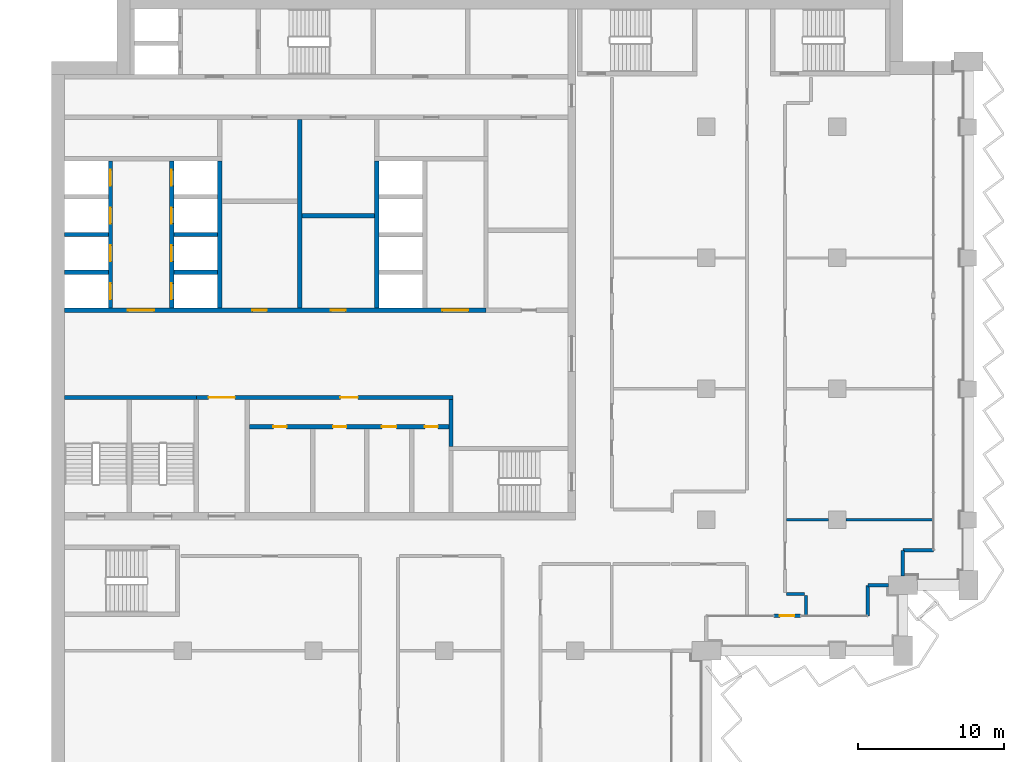
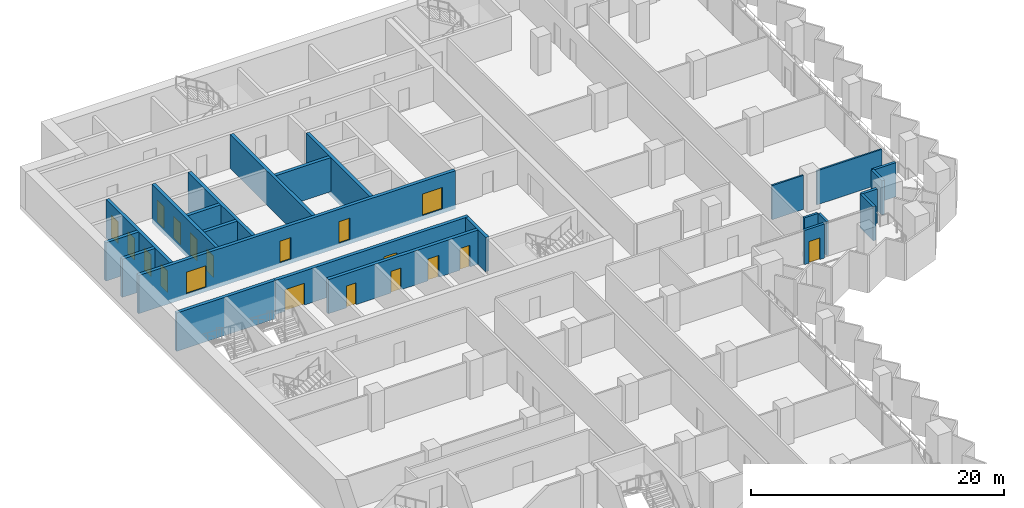
# One storey, part 13 of 23: 24 walls, 19 doors, 19 openings.
"""IFC4 building model written with IfcOpenShell, lengths in metres."""

from ifc_helpers import new_model, si_unit, direction, frame, frame_2d, origin, place, context, subcontext, project, spatial, rectangle, extrude, material, layer, layer_set, type_object, element, fill, save


model = new_model("IFC4")

# Units and contexts
model_context = context("Model", 3, precision=1e-05, world=origin(), true_north=direction((0.0, 1.0)))
body_context = subcontext(model_context, "Body", "Model", "MODEL_VIEW")
ifc_project = project(units=[si_unit("LENGTHUNIT", "METRE"), si_unit("AREAUNIT", "SQUARE_METRE"), si_unit("VOLUMEUNIT", "CUBIC_METRE"), si_unit("PLANEANGLEUNIT", "RADIAN"), si_unit("MASSUNIT", "GRAM", prefix="KILO")], contexts=[model_context])

# Site, building, storey
site_placement = place(None, origin())
site = spatial("IfcSite", under=ifc_project, at=site_placement, CompositionType="ELEMENT")
building_placement = place(site_placement, origin())
building = spatial("IfcBuilding", under=site, at=building_placement, Name="Hunhe Ridgeline Campus", CompositionType="ELEMENT")
storey_placement = place(building_placement, frame((0.0, 0.0, 167.10009765625)))
storey = spatial("IfcBuildingStorey", under=building, at=storey_placement, Name="L42", CompositionType="ELEMENT", Elevation=167.10009765625)

# Wall, openings, doors
ifc_material_1 = material(Name="Masonry concrete blockwork", Category="masonry")
ifc_layer_1 = layer(ifc_material_1, 0.300048828125)
ifc_layer_set_1 = layer_set([ifc_layer_1], Name="Core room partition 300 concrete block")
wall_type_1 = type_object("IfcWallType", Name="Core room partition 300 concrete block", PredefinedType="PARTITIONING", material=ifc_layer_set_1)
wall_1_placement = place(storey_placement, frame((13.60009765625, 69.39990234375, 0.0), z_axis=(0.0, 0.0, 1.0), x_axis=(1.0, 0.0, 0.0)))
wall_1 = element("IfcWall", 1, at=wall_1_placement, inside=storey, type_object=wall_type_1, Name="L42 core partition 9", PredefinedType="PARTITIONING", context=body_context, shape_type="SweptSolid", body=[
    extrude(rectangle(XDim=13.699951171875, YDim=0.300048828125, at=frame_2d((6.85009765625, 0.0))), origin(), (0.0, 0.0, 1.0), 3.2998046875),
])
opening_1_placement = place(wall_1_placement, frame((1.64990234375, 0.0, 0.0)))
opening_1 = element("IfcOpeningElement", 2, at=opening_1_placement, cuts=wall_1, Name="Opening CD8", PredefinedType="OPENING", context=body_context, shape_type="SweptSolid", body=[
    extrude(rectangle(XDim=0.89990234375, YDim=2.10009765625, at=frame_2d((0.449951171875, 1.050048828125))), frame((0.0, 0.14990234375, 0.0), z_axis=(0.0, -1.0, 0.0), x_axis=(1.0, 0.0, 0.0)), (0.0, 0.0, 1.0), 0.300048828125),
])
opening_2_placement = place(wall_1_placement, frame((5.75, 0.0, 0.0)))
opening_2 = element("IfcOpeningElement", 3, at=opening_2_placement, cuts=wall_1, Name="Opening CD9", PredefinedType="OPENING", context=body_context, shape_type="SweptSolid", body=[
    extrude(rectangle(XDim=0.89990234375, YDim=2.10009765625, at=frame_2d((0.449951171875, 1.050048828125))), frame((0.0, 0.14990234375, 0.0), z_axis=(0.0, -1.0, 0.0), x_axis=(1.0, 0.0, 0.0)), (0.0, 0.0, 1.0), 0.300048828125),
])
opening_3_placement = place(wall_1_placement, frame((9.10009765625, 0.0, 0.0)))
opening_3 = element("IfcOpeningElement", 4, at=opening_3_placement, cuts=wall_1, Name="Opening CD10", PredefinedType="OPENING", context=body_context, shape_type="SweptSolid", body=[
    extrude(rectangle(XDim=1.0, YDim=2.10009765625, at=frame_2d((0.5, 1.050048828125))), frame((0.0, 0.14990234375, 0.0), z_axis=(0.0, -1.0, 0.0), x_axis=(1.0, 0.0, 0.0)), (0.0, 0.0, 1.0), 0.300048828125),
])
opening_4_placement = place(wall_1_placement, frame((12.050048828125, 0.0, 0.0)))
opening_4 = element("IfcOpeningElement", 5, at=opening_4_placement, cuts=wall_1, Name="Opening CD11", PredefinedType="OPENING", context=body_context, shape_type="SweptSolid", body=[
    extrude(rectangle(XDim=0.89990234375, YDim=2.10009765625, at=frame_2d((0.449951171875, 1.050048828125))), frame((0.0, 0.14990234375, 0.0), z_axis=(0.0, -1.0, 0.0), x_axis=(1.0, 0.0, 0.0)), (0.0, 0.0, 1.0), 0.300048828125),
])
ifc_material_2 = material(Name="Solid core timber door leaf", Category="wood")
door_type_1 = type_object("IfcDoorType", Name="Timber door 1000x2100", OperationType="SINGLE_SWING_LEFT", PredefinedType="DOOR", material=ifc_material_2)
door_1_placement = place(opening_3_placement, frame((1.0, 0.0, 0.0), z_axis=(0.0, 0.0, 1.0), x_axis=(-1.0, 0.0, 0.0)))
door_1 = element("IfcDoor", 6, at=door_1_placement, inside=storey, type_object=door_type_1, Name="L42 door WC3", OperationType="SINGLE_SWING_RIGHT", OverallHeight=2.10009765625, OverallWidth=1.0, PredefinedType="DOOR", context=body_context, shape_type="SweptSolid", body=[
    extrude(rectangle(XDim=1.0, YDim=2.10009765625, at=frame_2d((0.5, 1.050048828125))), frame((0.0, 0.02490234375, 0.0), z_axis=(0.0, -1.0, 0.0), x_axis=(1.0, 0.0, 0.0)), (0.0, 0.0, 1.0), 0.050048828125),
])
fill(opening_3, door_1)
door_type_2 = type_object("IfcDoorType", Name="Timber door 900x2100", OperationType="SINGLE_SWING_LEFT", PredefinedType="DOOR", material=ifc_material_2)
door_2_placement = place(opening_1_placement, frame((0.89990234375, 0.0, 0.0), z_axis=(0.0, 0.0, 1.0), x_axis=(-1.0, 0.0, 0.0)))
door_2 = element("IfcDoor", 7, at=door_2_placement, inside=storey, type_object=door_type_2, Name="L42 door WC1", OperationType="SINGLE_SWING_RIGHT", OverallHeight=2.10009765625, OverallWidth=0.89990234375, PredefinedType="DOOR", context=body_context, shape_type="SweptSolid", body=[
    extrude(rectangle(XDim=0.89990234375, YDim=2.10009765625, at=frame_2d((0.449951171875, 1.050048828125))), frame((0.0, 0.02490234375, 0.0), z_axis=(0.0, -1.0, 0.0), x_axis=(1.0, 0.0, 0.0)), (0.0, 0.0, 1.0), 0.050048828125),
])
fill(opening_1, door_2)
door_3_placement = place(opening_2_placement, frame((0.89990234375, 0.0, 0.0), z_axis=(0.0, 0.0, 1.0), x_axis=(-1.0, 0.0, 0.0)))
door_3 = element("IfcDoor", 8, at=door_3_placement, inside=storey, type_object=door_type_2, Name="L42 door WC2", OperationType="SINGLE_SWING_LEFT", OverallHeight=2.10009765625, OverallWidth=0.89990234375, PredefinedType="DOOR", context=body_context, shape_type="SweptSolid", body=[
    extrude(rectangle(XDim=0.89990234375, YDim=2.10009765625, at=frame_2d((0.449951171875, 1.050048828125))), frame((0.0, 0.02490234375, 0.0), z_axis=(0.0, -1.0, 0.0), x_axis=(1.0, 0.0, 0.0)), (0.0, 0.0, 1.0), 0.050048828125),
])
fill(opening_2, door_3)
door_4_placement = place(opening_4_placement, frame((0.89990234375, 0.0, 0.0), z_axis=(0.0, 0.0, 1.0), x_axis=(-1.0, 0.0, 0.0)))
door_4 = element("IfcDoor", 9, at=door_4_placement, inside=storey, type_object=door_type_2, Name="L42 door WC4", OperationType="SINGLE_SWING_LEFT", OverallHeight=2.10009765625, OverallWidth=0.89990234375, PredefinedType="DOOR", context=body_context, shape_type="SweptSolid", body=[
    extrude(rectangle(XDim=0.89990234375, YDim=2.10009765625, at=frame_2d((0.449951171875, 1.050048828125))), frame((0.0, 0.02490234375, 0.0), z_axis=(0.0, -1.0, 0.0), x_axis=(1.0, 0.0, 0.0)), (0.0, 0.0, 1.0), 0.050048828125),
])
fill(opening_4, door_4)

wall_2_placement = place(storey_placement, frame((9.949951171875, 71.39990234375, 0.0), z_axis=(0.0, 0.0, 1.0), x_axis=(1.0, 0.0, 0.0)))
wall_2 = element("IfcWall", 10, at=wall_2_placement, inside=storey, type_object=wall_type_1, Name="L42 core partition 11", PredefinedType="PARTITIONING", context=body_context, shape_type="SweptSolid", body=[
    extrude(rectangle(XDim=17.650146484375, YDim=0.300048828125, at=frame_2d((8.8251953125, 0.0))), origin(), (0.0, 0.0, 1.0), 3.2998046875),
])
opening_5_placement = place(wall_2_placement, frame((0.85009765625, 0.0, 0.0)))
opening_5 = element("IfcOpeningElement", 11, at=opening_5_placement, cuts=wall_2, Name="Opening CD7", PredefinedType="OPENING", context=body_context, shape_type="SweptSolid", body=[
    extrude(rectangle(XDim=1.800048828125, YDim=2.10009765625, at=frame_2d((0.89990234375, 1.050048828125))), frame((0.0, 0.14990234375, 0.0), z_axis=(0.0, -1.0, 0.0), x_axis=(1.0, 0.0, 0.0)), (0.0, 0.0, 1.0), 0.300048828125),
])
opening_6_placement = place(wall_2_placement, frame((9.89990234375, 0.0, 0.0)))
opening_6 = element("IfcOpeningElement", 12, at=opening_6_placement, cuts=wall_2, Name="Opening CD12", PredefinedType="OPENING", context=body_context, shape_type="SweptSolid", body=[
    extrude(rectangle(XDim=1.199951171875, YDim=2.10009765625, at=frame_2d((0.60009765625, 1.050048828125))), frame((0.0, 0.14990234375, 0.0), z_axis=(0.0, -1.0, 0.0), x_axis=(1.0, 0.0, 0.0)), (0.0, 0.0, 1.0), 0.300048828125),
])
ifc_material_3 = material(Name="Anodised aluminium and glass", Category="aluminium")
door_type_3 = type_object("IfcDoorType", Name="Glazed double door 1800x2100", OperationType="DOUBLE_DOOR_SINGLE_SWING", PredefinedType="DOOR", material=ifc_material_3)
door_5_placement = place(opening_5_placement, origin())
door_5 = element("IfcDoor", 13, at=door_5_placement, inside=storey, type_object=door_type_3, Name="L42 door VEST-HALL", OperationType="DOUBLE_DOOR_SINGLE_SWING", OverallHeight=2.10009765625, OverallWidth=1.800048828125, PredefinedType="DOOR", context=body_context, shape_type="SweptSolid", body=[
    extrude(rectangle(XDim=1.800048828125, YDim=2.10009765625, at=frame_2d((0.89990234375, 1.050048828125))), frame((0.0, 0.02490234375, 0.0), z_axis=(0.0, -1.0, 0.0), x_axis=(1.0, 0.0, 0.0)), (0.0, 0.0, 1.0), 0.050048828125),
])
fill(opening_5, door_5)
door_type_4 = type_object("IfcDoorType", Name="Timber door 1200x2100", OperationType="SINGLE_SWING_LEFT", PredefinedType="DOOR", material=ifc_material_2)
door_6_placement = place(opening_6_placement, origin())
door_6 = element("IfcDoor", 14, at=door_6_placement, inside=storey, type_object=door_type_4, Name="L42 door WCL2-HALL", OperationType="SINGLE_SWING_LEFT", OverallHeight=2.10009765625, OverallWidth=1.199951171875, PredefinedType="DOOR", context=body_context, shape_type="SweptSolid", body=[
    extrude(rectangle(XDim=1.199951171875, YDim=2.10009765625, at=frame_2d((0.60009765625, 1.050048828125))), frame((0.0, 0.02490234375, 0.0), z_axis=(0.0, -1.0, 0.0), x_axis=(1.0, 0.0, 0.0)), (0.0, 0.0, 1.0), 0.050048828125),
])
fill(opening_6, door_6)

# Walls
wall_3_placement = place(storey_placement, frame((17.199951171875, 83.89990234375, 0.0), z_axis=(0.0, 0.0, 1.0), x_axis=(1.0, 0.0, 0.0)))
element("IfcWall", 15, at=wall_3_placement, inside=storey, type_object=wall_type_1, Name="L42 core partition 21", PredefinedType="PARTITIONING", context=body_context, shape_type="SweptSolid", body=[
    extrude(rectangle(XDim=5.0, YDim=0.300048828125, at=frame_2d((2.5, 0.0))), origin(), (0.0, 0.0, 1.0), 3.2998046875),
])
wall_4_placement = place(storey_placement, frame((17.050048828125, 77.550048828125, 0.0), z_axis=(0.0, 0.0, 1.0), x_axis=(0.0, 1.0, 0.0)))
element("IfcWall", 16, at=wall_4_placement, inside=storey, type_object=wall_type_1, Name="L42 core partition 45", PredefinedType="PARTITIONING", context=body_context, shape_type="SweptSolid", body=[
    extrude(rectangle(XDim=12.949951171875, YDim=0.300048828125, at=frame_2d((6.47509765625, 0.0))), origin(), (0.0, 0.0, 1.0), 3.2998046875),
])
wall_5_placement = place(storey_placement, frame((27.449951171875, 68.050048828125, 0.0), z_axis=(0.0, 0.0, 1.0), x_axis=(0.0, 1.0, 0.0)))
element("IfcWall", 17, at=wall_5_placement, inside=storey, type_object=wall_type_1, Name="L42 core partition 56", PredefinedType="PARTITIONING", context=body_context, shape_type="SweptSolid", body=[
    extrude(rectangle(XDim=3.199951171875, YDim=0.300048828125, at=frame_2d((1.60009765625, 0.0))), origin(), (0.0, 0.0, 1.0), 3.2998046875),
])
ifc_material_4 = material(Name="Concrete C30", Category="concrete")
ifc_layer_2 = layer(ifc_material_4, 0.25)
ifc_layer_set_2 = layer_set([ifc_layer_2], Name="Corner return wall 250 Concrete C30")
wall_type_2 = type_object("IfcWallType", Name="Corner return wall 250 Concrete C30", PredefinedType="SOLIDWALL", material=ifc_layer_set_2)
wall_6_placement = place(storey_placement, frame((56.09912109375, 56.40087890625, 0.0), z_axis=(0.0, 0.0, 1.0), x_axis=(0.00011626555, 0.999999993241, 0.0)))
element("IfcWall", 18, at=wall_6_placement, inside=storey, type_object=wall_type_2, Name="Corner return wall 4", PredefinedType="SOLIDWALL", context=body_context, shape_type="SweptSolid", body=[
    extrude(rectangle(XDim=2.099853515625, YDim=0.25, at=frame_2d((1.0498046875, 0.0))), origin(), (0.0, 0.0, 1.0), 3.2998046875),
])
wall_7_placement = place(storey_placement, frame((56.099365234375, 58.500732421875, 0.0), z_axis=(0.0, 0.0, 1.0), x_axis=(0.999999984809, 0.000174307127, 0.0)))
element("IfcWall", 19, at=wall_7_placement, inside=storey, type_object=wall_type_2, Name="Corner return wall 5", PredefinedType="SOLIDWALL", context=body_context, shape_type="SweptSolid", body=[
    extrude(rectangle(XDim=1.400634765625, YDim=0.25, at=frame_2d((0.7001953125, 0.0))), origin(), (0.0, 0.0, 1.0), 3.2998046875),
])
wall_8_placement = place(storey_placement, frame((58.4990234375, 59.14990234375, 0.0), z_axis=(0.0, 0.0, 1.0), x_axis=(0.000139450563, 0.999999990277, 0.0)))
element("IfcWall", 20, at=wall_8_placement, inside=storey, type_object=wall_type_2, Name="Corner return wall 6", PredefinedType="SOLIDWALL", context=body_context, shape_type="SweptSolid", body=[
    extrude(rectangle(XDim=1.750732421875, YDim=0.25, at=frame_2d((0.87548828125, 0.0))), origin(), (0.0, 0.0, 1.0), 3.2998046875),
])
wall_9_placement = place(storey_placement, frame((58.499267578125, 60.900634765625, 0.0), z_axis=(0.0, 0.0, 1.0), x_axis=(0.999999993241, 0.00011626555, 0.0)))
element("IfcWall", 21, at=wall_9_placement, inside=storey, type_object=wall_type_2, Name="Corner return wall 7", PredefinedType="SOLIDWALL", context=body_context, shape_type="SweptSolid", body=[
    extrude(rectangle(XDim=2.099853515625, YDim=0.25, at=frame_2d((1.0498046875, 0.0))), origin(), (0.0, 0.0, 1.0), 3.2998046875),
])
ifc_material_5 = material(Name="Gypsum board partition")
ifc_layer_3 = layer(ifc_material_5, 0.199951171875)
ifc_layer_set_3 = layer_set([ifc_layer_3], Name="Corridor partition 200 gypsum board on steel studs")
wall_type_3 = type_object("IfcWallType", Name="Corridor partition 200 gypsum board on steel studs", PredefinedType="PARTITIONING", material=ifc_layer_set_3)
wall_10_placement = place(storey_placement, frame((50.5, 57.90087890625, 0.0), z_axis=(0.0, 0.0, 1.0), x_axis=(1.0, 0.0, 0.0)))
element("IfcWall", 22, at=wall_10_placement, inside=storey, type_object=wall_type_3, Name="F-L42-wall-042", PredefinedType="PARTITIONING", context=body_context, shape_type="SweptSolid", body=[
    extrude(rectangle(XDim=1.2490234375, YDim=0.199951171875, at=frame_2d((0.62451171875, 0.0))), origin(), (0.0, 0.0, 1.0), 3.2998046875),
])
wall_11_placement = place(storey_placement, frame((51.84912109375, 57.801025390625, 0.0), z_axis=(0.0, 0.0, 1.0), x_axis=(0.0, -1.0, 0.0)))
element("IfcWall", 23, at=wall_11_placement, inside=storey, type_object=wall_type_3, Name="F-L42-wall-079", PredefinedType="PARTITIONING", context=body_context, shape_type="SweptSolid", body=[
    extrude(rectangle(XDim=1.345947265625, YDim=0.199951171875, at=frame_2d((0.6728515625, 0.0))), origin(), (0.0, 0.0, 1.0), 3.2998046875),
])

# Wall, opening, door
ifc_layer_4 = layer(ifc_material_4, 0.25)
ifc_layer_set_4 = layer_set([ifc_layer_4], Name="Loggia door pier wall 250 Concrete C30")
wall_type_4 = type_object("IfcWallType", Name="Loggia door pier wall 250 Concrete C30", PredefinedType="SOLIDWALL", material=ifc_layer_set_4)
wall_12_placement = place(storey_placement, frame((49.6494140625, 56.40087890625, 0.0), z_axis=(0.0, 0.0, 1.0), x_axis=(1.0, 0.0, 0.0)))
wall_12 = element("IfcWall", 24, at=wall_12_placement, inside=storey, type_object=wall_type_4, Name="Loggia door pier 3", PredefinedType="SOLIDWALL", context=body_context, shape_type="SweptSolid", body=[
    extrude(rectangle(XDim=1.800048828125, YDim=0.25, at=frame_2d((0.89990234375, 0.0))), origin(), (0.0, 0.0, 1.0), 3.2998046875),
])
opening_7_placement = place(wall_12_placement, frame((0.39990234375, 0.0, 0.0)))
opening_7 = element("IfcOpeningElement", 25, at=opening_7_placement, cuts=wall_12, Name="Opening BD306", PredefinedType="OPENING", context=body_context, shape_type="SweptSolid", body=[
    extrude(rectangle(XDim=1.0, YDim=2.10009765625, at=frame_2d((0.5, 1.050048828125))), frame((0.0, 0.125, 0.0), z_axis=(0.0, -1.0, 0.0), x_axis=(1.0, 0.0, 0.0)), (0.0, 0.0, 1.0), 0.25),
])
ifc_material_6 = material(Name="Aluminium 6063", Category="aluminium")
door_type_5 = type_object("IfcDoorType", Name="Loggia glazed door 1000x2100", OperationType="NOTDEFINED", PredefinedType="DOOR", material=ifc_material_6)
door_7_placement = place(opening_7_placement, frame((1.0, 0.0, 0.0), z_axis=(0.0, 0.0, 1.0), x_axis=(-1.0, 0.0, 0.0)))
door_7 = element("IfcDoor", 26, at=door_7_placement, inside=storey, type_object=door_type_5, Name="Loggia door BD306", OperationType="SINGLE_SWING_LEFT", OverallHeight=2.10009765625, OverallWidth=1.0, PredefinedType="DOOR", context=body_context, shape_type="SweptSolid", body=[
    extrude(rectangle(XDim=1.0, YDim=2.10009765625, at=frame_2d((0.5, 1.050048828125))), frame((0.0, 0.02490234375, 0.0), z_axis=(0.0, -1.0, 0.0), x_axis=(1.0, 0.0, 0.0)), (0.0, 0.0, 1.0), 0.050048828125),
])
fill(opening_7, door_7)

# Walls
ifc_layer_5 = layer(ifc_material_5, 0.14990234375)
ifc_layer_set_5 = layer_set([ifc_layer_5], Name="Room partition 150 gypsum board on steel studs")
wall_type_5 = type_object("IfcWallType", Name="Room partition 150 gypsum board on steel studs", PredefinedType="PARTITIONING", material=ifc_layer_set_5)
wall_13_placement = place(storey_placement, frame((50.5, 63.0, 0.0), z_axis=(0.0, 0.0, 1.0), x_axis=(1.0, 0.0, 0.0)))
element("IfcWall", 27, at=wall_13_placement, inside=storey, type_object=wall_type_5, Name="F-L42-wall-048", PredefinedType="PARTITIONING", context=body_context, shape_type="SweptSolid", body=[
    extrude(rectangle(XDim=2.89990234375, YDim=0.14990234375, at=frame_2d((1.449951171875, 0.0))), origin(), (0.0, 0.0, 1.0), 3.2998046875),
])
wall_14_placement = place(storey_placement, frame((54.60009765625, 63.0, 0.0), z_axis=(0.0, 0.0, 1.0), x_axis=(1.0, 0.0, 0.0)))
element("IfcWall", 28, at=wall_14_placement, inside=storey, type_object=wall_type_5, Name="F-L42-wall-049", PredefinedType="PARTITIONING", context=body_context, shape_type="SweptSolid", body=[
    extrude(rectangle(XDim=5.94482421875, YDim=0.14990234375, at=frame_2d((2.972412109375, 0.0))), origin(), (0.0, 0.0, 1.0), 3.2998046875),
])

# Wall, openings, doors
ifc_material_7 = material(Name="Concrete C70", Category="concrete")
ifc_layer_6 = layer(ifc_material_7, 0.300048828125)
ifc_layer_set_6 = layer_set([ifc_layer_6], Name="Shaft wall 300 reinforced concrete C70")
wall_type_6 = type_object("IfcWallType", Name="Shaft wall 300 reinforced concrete C70", PredefinedType="SOLIDWALL", material=ifc_layer_set_6)
wall_15_placement = place(storey_placement, frame((0.89990234375, 77.39990234375, -0.400146484375), z_axis=(0.0, 0.0, 1.0), x_axis=(1.0, 0.0, 0.0)))
wall_15 = element("IfcWall", 29, at=wall_15_placement, inside=storey, type_object=wall_type_6, Name="L42 core wall 12", PredefinedType="SOLIDWALL", context=body_context, shape_type="SweptSolid", body=[
    extrude(rectangle(XDim=28.9501953125, YDim=0.300048828125, at=frame_2d((14.47509765625, 0.0))), origin(), (0.0, 0.0, 1.0), 3.699951171875),
])
opening_8_placement = place(wall_15_placement, frame((4.35009765625, 0.0, 0.39990234375)))
opening_8 = element("IfcOpeningElement", 30, at=opening_8_placement, cuts=wall_15, Name="Opening CD1", PredefinedType="OPENING", context=body_context, shape_type="SweptSolid", body=[
    extrude(rectangle(XDim=1.800048828125, YDim=2.10009765625, at=frame_2d((0.89990234375, 1.050048828125))), frame((0.0, 0.14990234375, 0.0), z_axis=(0.0, -1.0, 0.0), x_axis=(1.0, 0.0, 0.0)), (0.0, 0.0, 1.0), 0.300048828125),
])
opening_9_placement = place(wall_15_placement, frame((25.949951171875, 0.0, 0.39990234375)))
opening_9 = element("IfcOpeningElement", 31, at=opening_9_placement, cuts=wall_15, Name="Opening CD2", PredefinedType="OPENING", context=body_context, shape_type="SweptSolid", body=[
    extrude(rectangle(XDim=1.800048828125, YDim=2.10009765625, at=frame_2d((0.89990234375, 1.050048828125))), frame((0.0, 0.14990234375, 0.0), z_axis=(0.0, -1.0, 0.0), x_axis=(1.0, 0.0, 0.0)), (0.0, 0.0, 1.0), 0.300048828125),
])
opening_10_placement = place(wall_15_placement, frame((12.89990234375, 0.0, 0.39990234375)))
opening_10 = element("IfcOpeningElement", 32, at=opening_10_placement, cuts=wall_15, Name="Opening CD28", PredefinedType="OPENING", context=body_context, shape_type="SweptSolid", body=[
    extrude(rectangle(XDim=1.0, YDim=2.10009765625, at=frame_2d((0.5, 1.050048828125))), frame((0.0, 0.14990234375, 0.0), z_axis=(0.0, -1.0, 0.0), x_axis=(1.0, 0.0, 0.0)), (0.0, 0.0, 1.0), 0.300048828125),
])
opening_11_placement = place(wall_15_placement, frame((18.300048828125, 0.0, 0.39990234375)))
opening_11 = element("IfcOpeningElement", 33, at=opening_11_placement, cuts=wall_15, Name="Opening CD30", PredefinedType="OPENING", context=body_context, shape_type="SweptSolid", body=[
    extrude(rectangle(XDim=1.0, YDim=2.10009765625, at=frame_2d((0.5, 1.050048828125))), frame((0.0, 0.14990234375, 0.0), z_axis=(0.0, -1.0, 0.0), x_axis=(1.0, 0.0, 0.0)), (0.0, 0.0, 1.0), 0.300048828125),
])
ifc_material_8 = material(Name="Hollow metal fire door leaf")
door_type_6 = type_object("IfcDoorType", Name="Lobby door 1800x2100 FD60", OperationType="SINGLE_SWING_LEFT", PredefinedType="DOOR", material=ifc_material_8)
door_8_placement = place(opening_8_placement, frame((1.800048828125, 0.0, 0.0), z_axis=(0.0, 0.0, 1.0), x_axis=(-1.0, 0.0, 0.0)))
door_8 = element("IfcDoor", 34, at=door_8_placement, inside=storey, type_object=door_type_6, Name="L42 door LOB-LR", OperationType="SINGLE_SWING_RIGHT", OverallHeight=2.10009765625, OverallWidth=1.800048828125, PredefinedType="DOOR", context=body_context, shape_type="SweptSolid", body=[
    extrude(rectangle(XDim=1.800048828125, YDim=2.10009765625, at=frame_2d((0.89990234375, 1.050048828125))), frame((0.0, 0.02490234375, 0.0), z_axis=(0.0, -1.0, 0.0), x_axis=(1.0, 0.0, 0.0)), (0.0, 0.0, 1.0), 0.050048828125),
])
fill(opening_8, door_8)
door_9_placement = place(opening_9_placement, frame((1.800048828125, 0.0, 0.0), z_axis=(0.0, 0.0, 1.0), x_axis=(-1.0, 0.0, 0.0)))
door_9 = element("IfcDoor", 35, at=door_9_placement, inside=storey, type_object=door_type_6, Name="L42 door LOB-SH", OperationType="SINGLE_SWING_LEFT", OverallHeight=2.10009765625, OverallWidth=1.800048828125, PredefinedType="DOOR", context=body_context, shape_type="SweptSolid", body=[
    extrude(rectangle(XDim=1.800048828125, YDim=2.10009765625, at=frame_2d((0.89990234375, 1.050048828125))), frame((0.0, 0.02490234375, 0.0), z_axis=(0.0, -1.0, 0.0), x_axis=(1.0, 0.0, 0.0)), (0.0, 0.0, 1.0), 0.050048828125),
])
fill(opening_9, door_9)
door_10_placement = place(opening_10_placement, origin())
door_10 = element("IfcDoor", 36, at=door_10_placement, inside=storey, type_object=door_type_1, Name="L42 door VD-HR0", OperationType="SINGLE_SWING_RIGHT", OverallHeight=2.10009765625, OverallWidth=1.0, PredefinedType="DOOR", context=body_context, shape_type="SweptSolid", body=[
    extrude(rectangle(XDim=1.0, YDim=2.10009765625, at=frame_2d((0.5, 1.050048828125))), frame((0.0, 0.02490234375, 0.0), z_axis=(0.0, -1.0, 0.0), x_axis=(1.0, 0.0, 0.0)), (0.0, 0.0, 1.0), 0.050048828125),
])
fill(opening_10, door_10)
door_11_placement = place(opening_11_placement, origin())
door_11 = element("IfcDoor", 37, at=door_11_placement, inside=storey, type_object=door_type_1, Name="L42 door VD-HR2", OperationType="SINGLE_SWING_RIGHT", OverallHeight=2.10009765625, OverallWidth=1.0, PredefinedType="DOOR", context=body_context, shape_type="SweptSolid", body=[
    extrude(rectangle(XDim=1.0, YDim=2.10009765625, at=frame_2d((0.5, 1.050048828125))), frame((0.0, 0.02490234375, 0.0), z_axis=(0.0, -1.0, 0.0), x_axis=(1.0, 0.0, 0.0)), (0.0, 0.0, 1.0), 0.050048828125),
])
fill(opening_11, door_11)

# Walls
for number, where, z_axis, x_axis, name in (
    (38, (0.89990234375, 80.0, -0.400146484375), (0.0, 0.0, 1.0), (1.0, 0.0, 0.0), "L42 core wall 14"),
    (39, (8.39990234375, 80.0, -0.400146484375), (0.0, 0.0, 1.0), (1.0, 0.0, 0.0), "L42 core wall 15"),
    (40, (0.89990234375, 82.60009765625, -0.400146484375), (0.0, 0.0, 1.0), (1.0, 0.0, 0.0), "L42 core wall 17"),
    (41, (8.39990234375, 82.60009765625, -0.400146484375), (0.0, 0.0, 1.0), (1.0, 0.0, 0.0), "L42 core wall 18"),
):
    element("IfcWall", number, at=place(storey_placement, frame(where, z_axis=z_axis, x_axis=x_axis)), inside=storey, type_object=wall_type_6, Name=name, PredefinedType="SOLIDWALL", context=body_context, shape_type="SweptSolid", body=[
        extrude(rectangle(XDim=3.0, YDim=0.300048828125, at=frame_2d((1.5, 0.0))), origin(), (0.0, 0.0, 1.0), 3.699951171875),
    ])

# Wall, openings, doors
wall_16_placement = place(storey_placement, frame((4.050048828125, 77.550048828125, -0.400146484375), z_axis=(0.0, 0.0, 1.0), x_axis=(0.0, 1.0, 0.0)))
wall_16 = element("IfcWall", 42, at=wall_16_placement, inside=storey, type_object=wall_type_6, Name="L42 core wall 33", PredefinedType="SOLIDWALL", context=body_context, shape_type="SweptSolid", body=[
    extrude(rectangle(XDim=10.099853515625, YDim=0.300048828125, at=frame_2d((5.0498046875, 0.0))), origin(), (0.0, 0.0, 1.0), 3.699951171875),
])
opening_12_placement = place(wall_16_placement, frame((0.60009765625, 0.0, 0.39990234375)))
opening_12 = element("IfcOpeningElement", 43, at=opening_12_placement, cuts=wall_16, Name="Opening LD-LR1", PredefinedType="OPENING", context=body_context, shape_type="SweptSolid", body=[
    extrude(rectangle(XDim=1.10009765625, YDim=2.10009765625, at=frame_2d((0.550048828125, 1.050048828125))), frame((0.0, 0.14990234375, 0.0), z_axis=(0.0, -1.0, 0.0), x_axis=(1.0, 0.0, 0.0)), (0.0, 0.0, 1.0), 0.300048828125),
])
opening_13_placement = place(wall_16_placement, frame((3.199951171875, 0.0, 0.39990234375)))
opening_13 = element("IfcOpeningElement", 44, at=opening_13_placement, cuts=wall_16, Name="Opening LD-LR2", PredefinedType="OPENING", context=body_context, shape_type="SweptSolid", body=[
    extrude(rectangle(XDim=1.10009765625, YDim=2.10009765625, at=frame_2d((0.550048828125, 1.050048828125))), frame((0.0, 0.14990234375, 0.0), z_axis=(0.0, -1.0, 0.0), x_axis=(1.0, 0.0, 0.0)), (0.0, 0.0, 1.0), 0.300048828125),
])
opening_14_placement = place(wall_16_placement, frame((5.800048828125, 0.0, 0.39990234375)))
opening_14 = element("IfcOpeningElement", 45, at=opening_14_placement, cuts=wall_16, Name="Opening LD-LR3", PredefinedType="OPENING", context=body_context, shape_type="SweptSolid", body=[
    extrude(rectangle(XDim=1.10009765625, YDim=2.10009765625, at=frame_2d((0.550048828125, 1.050048828125))), frame((0.0, 0.14990234375, 0.0), z_axis=(0.0, -1.0, 0.0), x_axis=(1.0, 0.0, 0.0)), (0.0, 0.0, 1.0), 0.300048828125),
])
opening_15_placement = place(wall_16_placement, frame((8.39990234375, 0.0, 0.39990234375)))
opening_15 = element("IfcOpeningElement", 46, at=opening_15_placement, cuts=wall_16, Name="Opening LD-LR4", PredefinedType="OPENING", context=body_context, shape_type="SweptSolid", body=[
    extrude(rectangle(XDim=1.10009765625, YDim=2.10009765625, at=frame_2d((0.550048828125, 1.050048828125))), frame((0.0, 0.14990234375, 0.0), z_axis=(0.0, -1.0, 0.0), x_axis=(1.0, 0.0, 0.0)), (0.0, 0.0, 1.0), 0.300048828125),
])
ifc_material_9 = material(Name="Stainless steel sliding leaves", Category="steel")
door_type_7 = type_object("IfcDoorType", Name="Landing door 1100x2100 FD120", OperationType="SLIDING_TO_LEFT", PredefinedType="DOOR", material=ifc_material_9)
door_12_placement = place(opening_12_placement, origin())
door_12 = element("IfcDoor", 47, at=door_12_placement, inside=storey, type_object=door_type_7, Name="L42 landing door LR1", OperationType="SLIDING_TO_RIGHT", OverallHeight=2.10009765625, OverallWidth=1.10009765625, PredefinedType="DOOR", context=body_context, shape_type="SweptSolid", body=[
    extrude(rectangle(XDim=1.10009765625, YDim=2.10009765625, at=frame_2d((0.550048828125, 1.050048828125))), frame((0.0, 0.02490234375, 0.0), z_axis=(0.0, -1.0, 0.0), x_axis=(1.0, 0.0, 0.0)), (0.0, 0.0, 1.0), 0.050048828125),
])
fill(opening_12, door_12)
door_13_placement = place(opening_13_placement, origin())
door_13 = element("IfcDoor", 48, at=door_13_placement, inside=storey, type_object=door_type_7, Name="L42 landing door LR2", OperationType="SLIDING_TO_LEFT", OverallHeight=2.10009765625, OverallWidth=1.10009765625, PredefinedType="DOOR", context=body_context, shape_type="SweptSolid", body=[
    extrude(rectangle(XDim=1.10009765625, YDim=2.10009765625, at=frame_2d((0.550048828125, 1.050048828125))), frame((0.0, 0.02490234375, 0.0), z_axis=(0.0, -1.0, 0.0), x_axis=(1.0, 0.0, 0.0)), (0.0, 0.0, 1.0), 0.050048828125),
])
fill(opening_13, door_13)
door_14_placement = place(opening_14_placement, origin())
door_14 = element("IfcDoor", 49, at=door_14_placement, inside=storey, type_object=door_type_7, Name="L42 landing door LR3", OperationType="SLIDING_TO_RIGHT", OverallHeight=2.10009765625, OverallWidth=1.10009765625, PredefinedType="DOOR", context=body_context, shape_type="SweptSolid", body=[
    extrude(rectangle(XDim=1.10009765625, YDim=2.10009765625, at=frame_2d((0.550048828125, 1.050048828125))), frame((0.0, 0.02490234375, 0.0), z_axis=(0.0, -1.0, 0.0), x_axis=(1.0, 0.0, 0.0)), (0.0, 0.0, 1.0), 0.050048828125),
])
fill(opening_14, door_14)
door_15_placement = place(opening_15_placement, origin())
door_15 = element("IfcDoor", 50, at=door_15_placement, inside=storey, type_object=door_type_7, Name="L42 landing door LR4", OperationType="SLIDING_TO_LEFT", OverallHeight=2.10009765625, OverallWidth=1.10009765625, PredefinedType="DOOR", context=body_context, shape_type="SweptSolid", body=[
    extrude(rectangle(XDim=1.10009765625, YDim=2.10009765625, at=frame_2d((0.550048828125, 1.050048828125))), frame((0.0, 0.02490234375, 0.0), z_axis=(0.0, -1.0, 0.0), x_axis=(1.0, 0.0, 0.0)), (0.0, 0.0, 1.0), 0.050048828125),
])
fill(opening_15, door_15)

wall_17_placement = place(storey_placement, frame((8.25, 77.550048828125, -0.400146484375), z_axis=(0.0, 0.0, 1.0), x_axis=(0.0, 1.0, 0.0)))
wall_17 = element("IfcWall", 51, at=wall_17_placement, inside=storey, type_object=wall_type_6, Name="L42 core wall 36", PredefinedType="SOLIDWALL", context=body_context, shape_type="SweptSolid", body=[
    extrude(rectangle(XDim=10.099853515625, YDim=0.300048828125, at=frame_2d((5.0498046875, 0.0))), origin(), (0.0, 0.0, 1.0), 3.699951171875),
])
opening_16_placement = place(wall_17_placement, frame((0.60009765625, 0.0, 0.39990234375)))
opening_16 = element("IfcOpeningElement", 52, at=opening_16_placement, cuts=wall_17, Name="Opening LD-LR5", PredefinedType="OPENING", context=body_context, shape_type="SweptSolid", body=[
    extrude(rectangle(XDim=1.10009765625, YDim=2.10009765625, at=frame_2d((0.550048828125, 1.050048828125))), frame((0.0, 0.14990234375, 0.0), z_axis=(0.0, -1.0, 0.0), x_axis=(1.0, 0.0, 0.0)), (0.0, 0.0, 1.0), 0.300048828125),
])
opening_17_placement = place(wall_17_placement, frame((3.199951171875, 0.0, 0.39990234375)))
opening_17 = element("IfcOpeningElement", 53, at=opening_17_placement, cuts=wall_17, Name="Opening LD-LR6", PredefinedType="OPENING", context=body_context, shape_type="SweptSolid", body=[
    extrude(rectangle(XDim=1.10009765625, YDim=2.10009765625, at=frame_2d((0.550048828125, 1.050048828125))), frame((0.0, 0.14990234375, 0.0), z_axis=(0.0, -1.0, 0.0), x_axis=(1.0, 0.0, 0.0)), (0.0, 0.0, 1.0), 0.300048828125),
])
opening_18_placement = place(wall_17_placement, frame((5.800048828125, 0.0, 0.39990234375)))
opening_18 = element("IfcOpeningElement", 54, at=opening_18_placement, cuts=wall_17, Name="Opening LD-LR7", PredefinedType="OPENING", context=body_context, shape_type="SweptSolid", body=[
    extrude(rectangle(XDim=1.10009765625, YDim=2.10009765625, at=frame_2d((0.550048828125, 1.050048828125))), frame((0.0, 0.14990234375, 0.0), z_axis=(0.0, -1.0, 0.0), x_axis=(1.0, 0.0, 0.0)), (0.0, 0.0, 1.0), 0.300048828125),
])
opening_19_placement = place(wall_17_placement, frame((8.39990234375, 0.0, 0.39990234375)))
opening_19 = element("IfcOpeningElement", 55, at=opening_19_placement, cuts=wall_17, Name="Opening LD-LR8", PredefinedType="OPENING", context=body_context, shape_type="SweptSolid", body=[
    extrude(rectangle(XDim=1.10009765625, YDim=2.10009765625, at=frame_2d((0.550048828125, 1.050048828125))), frame((0.0, 0.14990234375, 0.0), z_axis=(0.0, -1.0, 0.0), x_axis=(1.0, 0.0, 0.0)), (0.0, 0.0, 1.0), 0.300048828125),
])
door_16_placement = place(opening_16_placement, origin())
door_16 = element("IfcDoor", 56, at=door_16_placement, inside=storey, type_object=door_type_7, Name="L42 landing door LR5", OperationType="SLIDING_TO_RIGHT", OverallHeight=2.10009765625, OverallWidth=1.10009765625, PredefinedType="DOOR", context=body_context, shape_type="SweptSolid", body=[
    extrude(rectangle(XDim=1.10009765625, YDim=2.10009765625, at=frame_2d((0.550048828125, 1.050048828125))), frame((0.0, 0.02490234375, 0.0), z_axis=(0.0, -1.0, 0.0), x_axis=(1.0, 0.0, 0.0)), (0.0, 0.0, 1.0), 0.050048828125),
])
fill(opening_16, door_16)
door_17_placement = place(opening_17_placement, origin())
door_17 = element("IfcDoor", 57, at=door_17_placement, inside=storey, type_object=door_type_7, Name="L42 landing door LR6", OperationType="SLIDING_TO_LEFT", OverallHeight=2.10009765625, OverallWidth=1.10009765625, PredefinedType="DOOR", context=body_context, shape_type="SweptSolid", body=[
    extrude(rectangle(XDim=1.10009765625, YDim=2.10009765625, at=frame_2d((0.550048828125, 1.050048828125))), frame((0.0, 0.02490234375, 0.0), z_axis=(0.0, -1.0, 0.0), x_axis=(1.0, 0.0, 0.0)), (0.0, 0.0, 1.0), 0.050048828125),
])
fill(opening_17, door_17)
door_18_placement = place(opening_18_placement, origin())
door_18 = element("IfcDoor", 58, at=door_18_placement, inside=storey, type_object=door_type_7, Name="L42 landing door LR7", OperationType="SLIDING_TO_RIGHT", OverallHeight=2.10009765625, OverallWidth=1.10009765625, PredefinedType="DOOR", context=body_context, shape_type="SweptSolid", body=[
    extrude(rectangle(XDim=1.10009765625, YDim=2.10009765625, at=frame_2d((0.550048828125, 1.050048828125))), frame((0.0, 0.02490234375, 0.0), z_axis=(0.0, -1.0, 0.0), x_axis=(1.0, 0.0, 0.0)), (0.0, 0.0, 1.0), 0.050048828125),
])
fill(opening_18, door_18)
door_19_placement = place(opening_19_placement, origin())
door_19 = element("IfcDoor", 59, at=door_19_placement, inside=storey, type_object=door_type_7, Name="L42 landing door LR8", OperationType="SLIDING_TO_LEFT", OverallHeight=2.10009765625, OverallWidth=1.10009765625, PredefinedType="DOOR", context=body_context, shape_type="SweptSolid", body=[
    extrude(rectangle(XDim=1.10009765625, YDim=2.10009765625, at=frame_2d((0.550048828125, 1.050048828125))), frame((0.0, 0.02490234375, 0.0), z_axis=(0.0, -1.0, 0.0), x_axis=(1.0, 0.0, 0.0)), (0.0, 0.0, 1.0), 0.050048828125),
])
fill(opening_19, door_19)

# Walls
for number, where, z_axis, x_axis, name in (
    (60, (11.550048828125, 77.550048828125, -0.400146484375), (0.0, 0.0, 1.0), (0.0, 1.0, 0.0), "L42 core wall 41"),
    (61, (22.35009765625, 77.550048828125, -0.400146484375), (0.0, 0.0, 1.0), (0.0, 1.0, 0.0), "L42 core wall 50"),
):
    element("IfcWall", number, at=place(storey_placement, frame(where, z_axis=z_axis, x_axis=x_axis)), inside=storey, type_object=wall_type_6, Name=name, PredefinedType="SOLIDWALL", context=body_context, shape_type="SweptSolid", body=[
        extrude(rectangle(XDim=10.099853515625, YDim=0.300048828125, at=frame_2d((5.0498046875, 0.0))), origin(), (0.0, 0.0, 1.0), 3.699951171875),
    ])
ifc_layer_7 = layer(ifc_material_7, 0.300048828125)
ifc_layer_set_7 = layer_set([ifc_layer_7], Name="Stair wall 300 reinforced concrete C70")
wall_type_7 = type_object("IfcWallType", Name="Stair wall 300 reinforced concrete C70", PredefinedType="SOLIDWALL", material=ifc_layer_set_7)
wall_18_placement = place(storey_placement, frame((0.89990234375, 71.39990234375, -0.400146484375), z_axis=(0.0, 0.0, 1.0), x_axis=(1.0, 0.0, 0.0)))
element("IfcWall", 62, at=wall_18_placement, inside=storey, type_object=wall_type_7, Name="L42 core wall 10", PredefinedType="SOLIDWALL", context=body_context, shape_type="SweptSolid", body=[
    extrude(rectangle(XDim=9.050048828125, YDim=0.300048828125, at=frame_2d((4.52490234375, 0.0))), origin(), (0.0, 0.0, 1.0), 3.699951171875),
])

save(model, "model.ifc")
